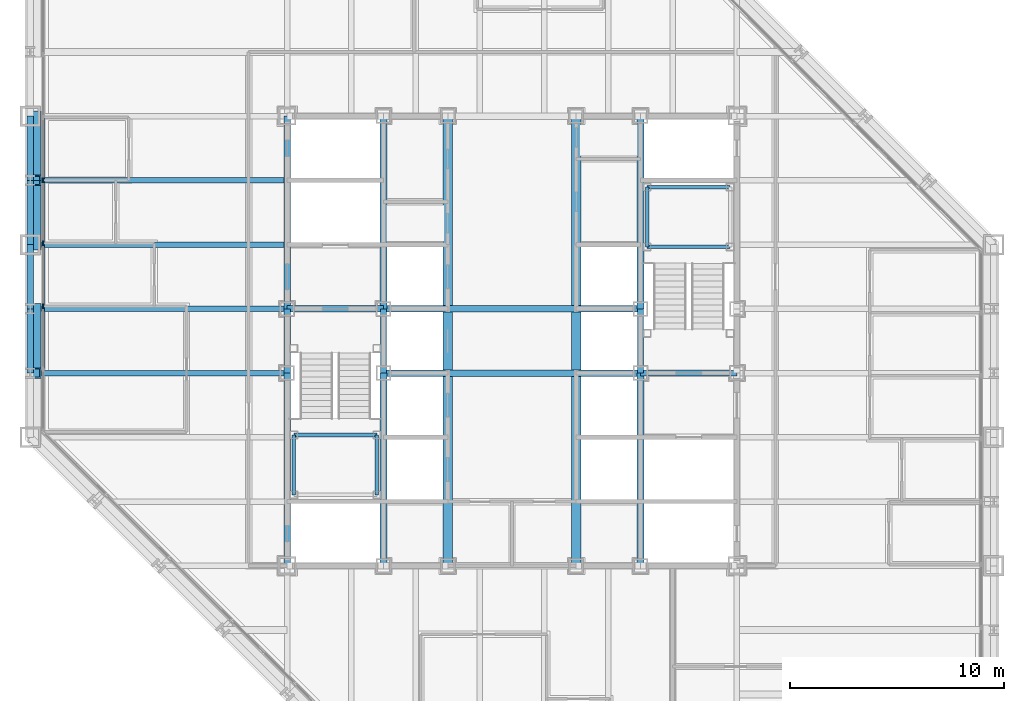
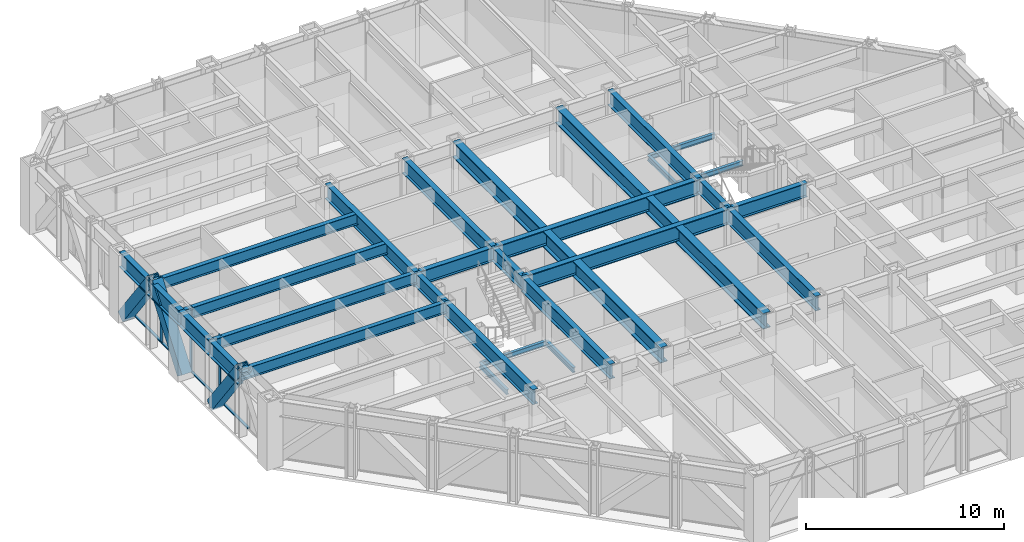
# One storey, part 5 of 16: 33 beams, 10 members, 1 element without a shape of its own.
"""IFC4 building model written with IfcOpenShell, lengths in metres."""

import ifcopenshell
import ifcopenshell.guid

model = None  # the IFC model being written
_history = None  # IfcOwnerHistory: only IFC2X3 demands one
_inside = {}  # id of a spatial element -> (the spatial element, [elements in it])
_under = {}  # id of a project, library or spatial element -> (it, [spatial elements below it])
_declared = {}  # id of a project -> (the project, [libraries it declares])
_typed = {}  # id of a type object -> (the type object, [elements of that type])
_made_of = {}  # id of a material, layer set ... -> (it, [elements and type objects made of it])


def new_model(schema):
    """Start an empty IFC model of exactly this schema.

    Asked for "IFC4X3", IfcOpenShell would pick the latest addendum, in which some entities
    have other attributes; the version numbers below select the first issue.
    IFC2X3 requires an IfcOwnerHistory on every rooted entity: one is made here for all.
    """
    global model, _history
    if schema == "IFC4X3":
        model = ifcopenshell.file(schema_version=(4, 3, 0, 0))
    else:
        model = ifcopenshell.file(schema=schema)
    _inside.clear()
    _under.clear()
    _declared.clear()
    _typed.clear()
    _made_of.clear()
    _history = None
    if model.schema == "IFC2X3":
        org = make("IfcOrganization", Name="unknown")
        user = make(
            "IfcPersonAndOrganization",
            ThePerson=make("IfcPerson", FamilyName="unknown"),
            TheOrganization=org,
        )
        app = make(
            "IfcApplication",
            ApplicationDeveloper=org,
            Version="unknown",
            ApplicationFullName="unknown",
            ApplicationIdentifier="unknown",
        )
        _history = make(
            "IfcOwnerHistory",
            OwningUser=user,
            OwningApplication=app,
            ChangeAction="ADDED",
            CreationDate=0,
        )
    return model


def make(cls, **values):
    """One entity of the class cls with the attributes given. An attribute that is None is left unset."""
    return model.create_entity(
        cls, **{name: value for name, value in values.items() if value is not None}
    )


def rooted(cls, **values):
    """An entity with a GlobalId (a new one), such as an element, a storey or a relation."""
    return make(cls, GlobalId=ifcopenshell.guid.new(), OwnerHistory=_history, **values)


def si_unit(unit_type, name, prefix=None):
    """IfcSIUnit, for example si_unit("LENGTHUNIT", "METRE", prefix="MILLI")."""
    return make("IfcSIUnit", UnitType=unit_type, Prefix=prefix, Name=name)


def assignment(units):
    """IfcUnitAssignment: the units of a project."""
    return None if units is None else make("IfcUnitAssignment", Units=units)


def point(xyz):
    """IfcCartesianPoint."""
    return None if xyz is None else make("IfcCartesianPoint", Coordinates=xyz)


def direction(xyz):
    """IfcDirection."""
    return None if xyz is None else make("IfcDirection", DirectionRatios=xyz)


def frame(location, z_axis=None, x_axis=None):
    """IfcAxis2Placement3D, a coordinate frame: its origin and axes. An axis left out is left unset."""
    return make(
        "IfcAxis2Placement3D",
        Location=point(location),
        Axis=direction(z_axis),
        RefDirection=direction(x_axis),
    )


def frame_2d(location, x_axis=None):
    """IfcAxis2Placement2D, a coordinate frame in the plane: its origin and x axis."""
    return make(
        "IfcAxis2Placement2D", Location=point(location), RefDirection=direction(x_axis)
    )


def origin():
    """The frame at (0, 0, 0) with its axes left unset."""
    return frame((0.0, 0.0, 0.0))


def origin_2d():
    """The frame at (0, 0) in the plane with its x axis left unset."""
    return frame_2d((0.0, 0.0))


def place(relative_to, where):
    """IfcLocalPlacement: puts the frame where relative to a parent placement (None: the world)."""
    return make(
        "IfcLocalPlacement", PlacementRelTo=relative_to, RelativePlacement=where
    )


def context(
    kind, dimensions, precision=None, world=None, true_north=None, identifier=None
):
    """IfcGeometricRepresentationContext, for example the 3D "Model" context."""
    return make(
        "IfcGeometricRepresentationContext",
        ContextIdentifier=identifier,
        ContextType=kind,
        CoordinateSpaceDimension=dimensions,
        Precision=precision,
        WorldCoordinateSystem=world,
        TrueNorth=true_north,
    )


def subcontext(parent, identifier, kind, view, scale=None):
    """IfcGeometricRepresentationSubContext, for example "Body" below "Model"."""
    return make(
        "IfcGeometricRepresentationSubContext",
        ContextIdentifier=identifier,
        ContextType=kind,
        ParentContext=parent,
        TargetScale=scale,
        TargetView=view,
    )


def project(units=None, contexts=None):
    """IfcProject with its units and contexts."""
    return rooted(
        "IfcProject",
        Name="project",
        RepresentationContexts=contexts,
        UnitsInContext=assignment(units),
    )


def spatial(cls, under=None, at=None, **own):
    """A site, building, storey or space (cls), placed at a placement, below another one or the project."""
    s = rooted(cls, ObjectPlacement=at, **own)
    if under is not None:
        _under.setdefault(under.id(), (under, []))[1].append(s)
    return s


def profile(cls, at=None, kind="AREA", **sizes):
    """A parametric profile (cls). Its sizes go by their IFC names, for example OverallWidth=200.0."""
    return make(cls, ProfileType=kind, Position=at, **sizes)


def rectangle(**sizes):
    """IfcRectangleProfileDef."""
    return profile("IfcRectangleProfileDef", **sizes)


def hollow_rectangle(**sizes):
    """IfcRectangleHollowProfileDef."""
    return profile("IfcRectangleHollowProfileDef", **sizes)


def i_section(**sizes):
    """IfcIShapeProfileDef."""
    return profile("IfcIShapeProfileDef", **sizes)


def extrude(swept, where, along, depth):
    """IfcExtrudedAreaSolid: the profile swept, set in the frame where, extruded along a direction by depth."""
    return make(
        "IfcExtrudedAreaSolid",
        SweptArea=swept,
        Position=where,
        ExtrudedDirection=direction(along),
        Depth=depth,
    )


def shape(context_of_items, identifier, shape_type, items):
    """IfcShapeRepresentation: the items that make up one representation, for example the "Body"."""
    return make(
        "IfcShapeRepresentation",
        ContextOfItems=context_of_items,
        RepresentationIdentifier=identifier,
        RepresentationType=shape_type,
        Items=items,
    )


def material(Name=None, Category=None):
    """IfcMaterial."""
    return make("IfcMaterial", Name=Name, Category=Category)


def layer(
    of_material, thickness, ventilated=None, Name=None, Category=None, Priority=None
):
    """IfcMaterialLayer: one layer of a wall or slab, of a material (None: an air gap)."""
    return make(
        "IfcMaterialLayer",
        Material=of_material,
        LayerThickness=thickness,
        IsVentilated=ventilated,
        Name=Name,
        Category=Category,
        Priority=Priority,
    )


def layer_set(layers, Name=None):
    """IfcMaterialLayerSet."""
    return make("IfcMaterialLayerSet", MaterialLayers=layers, LayerSetName=Name)


def material_profile(
    of_material, cross_section, Name=None, Category=None, Priority=None
):
    """IfcMaterialProfile: a cross section and its material."""
    return make(
        "IfcMaterialProfile",
        Name=Name,
        Material=of_material,
        Profile=cross_section,
        Priority=Priority,
        Category=Category,
    )


def profile_set(profiles, Name=None, composite=None):
    """IfcMaterialProfileSet."""
    return make(
        "IfcMaterialProfileSet",
        Name=Name,
        MaterialProfiles=profiles,
        CompositeProfile=composite,
    )


def made_of(thing, what):
    """Note that an element or type object is made of a material, layer set ...; save() writes the relation."""
    if what is not None:
        _made_of.setdefault(what.id(), (what, []))[1].append(thing)
    return thing


def type_object(cls, material=None, **own):
    """A type object (cls), such as IfcWallType, which elements share."""
    return made_of(rooted(cls, **own), material)


def element(
    cls,
    number,
    at=None,
    inside=None,
    cuts=None,
    type_object=None,
    material=None,
    context=None,
    identifier="Body",
    shape_type=None,
    held_by="IfcProductDefinitionShape",
    body=None,
    shapes=None,
    **own,
):
    """One element of the class cls, such as IfcWall. Its Tag is "e" and its number.

    at: its placement. inside: the storey or other place that contains it. cuts: it is an
    opening in that element (IfcRelVoidsElement). A single representation is given by context,
    identifier, shape_type and body (its items); several are given by shapes. held_by: the class
    of the entity that holds the representations. save() writes the other relations.
    """
    e = rooted(cls, Tag="e%d" % number, ObjectPlacement=at, **own)
    if body is not None:
        shapes = [shape(context, identifier, shape_type, body)]
    if shapes is not None:
        e.Representation = make(held_by, Representations=shapes)
    if inside is not None:
        _inside.setdefault(inside.id(), (inside, []))[1].append(e)
    if cuts is not None:
        rooted(
            "IfcRelVoidsElement", RelatingBuildingElement=cuts, RelatedOpeningElement=e
        )
    if type_object is not None:
        _typed.setdefault(type_object.id(), (type_object, []))[1].append(e)
    return made_of(e, material)


def aggregate(whole, parts):
    """IfcRelAggregates: a whole, such as a stair, and the parts it consists of."""
    return rooted("IfcRelAggregates", RelatingObject=whole, RelatedObjects=parts)


def save(model, path):
    """Write the relations noted so far, then the file.

    IfcRelAggregates (storeys below a building ...), IfcRelContainedInSpatialStructure (elements
    in a storey), IfcRelDefinesByType, IfcRelAssociatesMaterial and IfcRelDeclares: one each for
    every whole, place, type object, material and project.
    """
    for whole, parts in _under.values():
        aggregate(whole, parts)
    for where, things in _inside.values():
        rooted(
            "IfcRelContainedInSpatialStructure",
            RelatedElements=things,
            RelatingStructure=where,
        )
    for kind, things in _typed.values():
        rooted("IfcRelDefinesByType", RelatedObjects=things, RelatingType=kind)
    for what, things in _made_of.values():
        rooted("IfcRelAssociatesMaterial", RelatedObjects=things, RelatingMaterial=what)
    for by, libraries in _declared.values():
        rooted("IfcRelDeclares", RelatingContext=by, RelatedDefinitions=libraries)
    model.write(path)


model = new_model("IFC4")

# Units and contexts
model_context = context("Model", 3, precision=1e-05, world=origin(), true_north=direction((0.0, 1.0)))
body_context = subcontext(model_context, "Body", "Model", "MODEL_VIEW")
ifc_project = project(units=[si_unit("LENGTHUNIT", "METRE"), si_unit("AREAUNIT", "SQUARE_METRE"), si_unit("VOLUMEUNIT", "CUBIC_METRE"), si_unit("PLANEANGLEUNIT", "RADIAN"), si_unit("MASSUNIT", "GRAM", prefix="KILO")], contexts=[model_context])

# Site, building, storey
site_placement = place(None, origin())
site = spatial("IfcSite", under=ifc_project, at=site_placement, CompositionType="ELEMENT")
building_placement = place(site_placement, origin())
building = spatial("IfcBuilding", under=site, at=building_placement, Name="Chuquiago Exchange Tower", CompositionType="ELEMENT")
storey_placement = place(building_placement, frame((0.0, 0.0, 127.800048828125)))
storey = spatial("IfcBuildingStorey", under=building, at=storey_placement, Name="L27", CompositionType="ELEMENT", Elevation=127.800048828125)

# Beams
ifc_material_1 = material(Name="Steel ASTM A992", Category="steel")
ifc_material_profile_1 = material_profile(ifc_material_1, i_section(OverallWidth=0.25390625, OverallDepth=0.683349609375, WebThickness=0.012451171875, FlangeThickness=0.018798828125, at=origin_2d()), Name="W27X94")
ifc_profile_set_1 = profile_set([ifc_material_profile_1], Name="Steel ASTM A992")
beam_type_1 = type_object("IfcBeamType", Name="B1 W27X94", PredefinedType="BEAM", material=ifc_profile_set_1)
for number, where, z_axis, x_axis, name in (
    (1, (12.0, 21.0, 3.6982421875), (-1.0, 0.0, 0.0), (0.0, -1.0, 0.0), "FB-L28-infill-12_21--0_21-0"),
    (2, (12.0, 24.0, 3.6982421875), (-1.0, 0.0, 0.0), (0.0, -1.0, 0.0), "FB-L28-infill-12_24--0_24-0"),
    (3, (12.0, 27.0, 3.6982421875), (-1.0, 0.0, 0.0), (0.0, -1.0, 0.0), "FB-L28-infill-12_27--0_27-0"),
    (4, (12.0, 30.0, 3.6982421875), (-1.0, 0.0, 0.0), (0.0, -1.0, 0.0), "FB-L28-infill-12_30--0_30-0"),
):
    element("IfcBeam", number, at=place(storey_placement, frame(where, z_axis=z_axis, x_axis=x_axis)), inside=storey, type_object=beam_type_1, Name=name, PredefinedType="BEAM", context=body_context, shape_type="SweptSolid", body=[
        extrude(i_section(OverallWidth=0.25390625, OverallDepth=0.683349609375, WebThickness=0.012451171875, FlangeThickness=0.018798828125, at=origin_2d()), origin(), (0.0, 0.0, 1.0), 12.0),
    ])
ifc_material_2 = material(Name="Steel ASTM A992", Category="steel")
ifc_material_profile_2 = material_profile(ifc_material_2, i_section(OverallWidth=0.307373046875, OverallDepth=0.927001953125, WebThickness=0.01953125, FlangeThickness=0.031982421875, at=origin_2d()), Name="W36X194")
ifc_profile_set_2 = profile_set([ifc_material_profile_2], Name="Steel ASTM A992")
beam_type_2 = type_object("IfcBeamType", Name="B10 W36X194", PredefinedType="BEAM", material=ifc_profile_set_2)
for number, where, z_axis, x_axis, name in (
    (5, (12.0, 12.0, 3.576416015625), (0.0, 1.0, 0.0), (-1.0, 0.0, 0.0), "CB-L28-12_12-12_21"),
    (6, (12.0, 24.0, 3.576416015625), (0.0, 1.0, 0.0), (-1.0, 0.0, 0.0), "CB-L28-12_24-12_33"),
    (7, (16.5, 12.0, 3.576416015625), (0.0, 1.0, 0.0), (-1.0, 0.0, 0.0), "CB-L28-16.5_12-16.5_21"),
    (8, (16.5, 24.0, 3.576416015625), (0.0, 1.0, 0.0), (-1.0, 0.0, 0.0), "CB-L28-16.5_24-16.5_33"),
    (9, (28.5, 12.0, 3.576416015625), (0.0, 1.0, 0.0), (-1.0, 0.0, 0.0), "CB-L28-28.5_12-28.5_21"),
    (10, (28.5, 24.0, 3.576416015625), (0.0, 1.0, 0.0), (-1.0, 0.0, 0.0), "CB-L28-28.5_24-28.5_33"),
):
    element("IfcBeam", number, at=place(storey_placement, frame(where, z_axis=z_axis, x_axis=x_axis)), inside=storey, type_object=beam_type_2, Name=name, PredefinedType="BEAM", context=body_context, shape_type="SweptSolid", body=[
        extrude(i_section(OverallWidth=0.307373046875, OverallDepth=0.927001953125, WebThickness=0.01953125, FlangeThickness=0.031982421875, at=origin_2d()), origin(), (0.0, 0.0, 1.0), 9.0),
    ])
ifc_material_3 = material(Name="Steel ASTM A992", Category="steel")
ifc_material_profile_3 = material_profile(ifc_material_3, i_section(OverallWidth=0.309814453125, OverallDepth=0.949951171875, WebThickness=0.0244140625, FlangeThickness=0.0439453125, at=origin_2d()), Name="W36X256")
ifc_profile_set_3 = profile_set([ifc_material_profile_3], Name="Steel ASTM A992")
beam_type_3 = type_object("IfcBeamType", Name="B11 W36X256", PredefinedType="BEAM", material=ifc_profile_set_3)
for number, where, z_axis, x_axis, name in (
    (11, (16.5, 21.0, 3.56494140625), (1.0, 0.0, 0.0), (0.0, 1.0, 0.0), "CB-L28-16.5_21-28.5_21"),
    (12, (16.5, 24.0, 3.56494140625), (1.0, 0.0, 0.0), (0.0, 1.0, 0.0), "CB-L28-16.5_24-28.5_24"),
):
    element("IfcBeam", number, at=place(storey_placement, frame(where, z_axis=z_axis, x_axis=x_axis)), inside=storey, type_object=beam_type_3, Name=name, PredefinedType="BEAM", context=body_context, shape_type="SweptSolid", body=[
        extrude(i_section(OverallWidth=0.309814453125, OverallDepth=0.949951171875, WebThickness=0.0244140625, FlangeThickness=0.0439453125, at=origin_2d()), origin(), (0.0, 0.0, 1.0), 12.0),
    ])
ifc_material_4 = material(Name="Steel ASTM A992", Category="steel")
ifc_material_profile_4 = material_profile(ifc_material_4, i_section(OverallWidth=0.4267578125, OverallDepth=0.975341796875, WebThickness=0.031005859375, FlangeThickness=0.055908203125, at=origin_2d()), Name="W36X395")
ifc_profile_set_4 = profile_set([ifc_material_profile_4], Name="Steel ASTM A992")
beam_type_4 = type_object("IfcBeamType", Name="B12 W36X395", PredefinedType="BEAM", material=ifc_profile_set_4)
beam_1_placement = place(storey_placement, frame((19.5, 12.0, 3.55224609375), z_axis=(0.0, 1.0, 0.0), x_axis=(-1.0, 0.0, 0.0)))
element("IfcBeam", 13, at=beam_1_placement, inside=storey, type_object=beam_type_4, Name="CB-L28-19.5_12-19.5_20.8451", PredefinedType="BEAM", context=body_context, shape_type="SweptSolid", body=[
    extrude(i_section(OverallWidth=0.4267578125, OverallDepth=0.975341796875, WebThickness=0.031005859375, FlangeThickness=0.055908203125, at=origin_2d()), origin(), (0.0, 0.0, 1.0), 8.84521484375),
])
beam_2_placement = place(storey_placement, frame((19.5, 21.15478515625, 3.55224609375), z_axis=(0.0, 1.0, 0.0), x_axis=(-1.0, 0.0, 0.0)))
element("IfcBeam", 14, at=beam_2_placement, inside=storey, type_object=beam_type_4, Name="CB-L28-19.5_21.1549-19.5_23.8451", PredefinedType="BEAM", context=body_context, shape_type="SweptSolid", body=[
    extrude(i_section(OverallWidth=0.4267578125, OverallDepth=0.975341796875, WebThickness=0.031005859375, FlangeThickness=0.055908203125, at=origin_2d()), origin(), (0.0, 0.0, 1.0), 2.6904296875),
])
for number, where, z_axis, x_axis, name in (
    (15, (19.5, 24.15478515625, 3.55224609375), (0.0, 1.0, 0.0), (-1.0, 0.0, 0.0), "CB-L28-19.5_24.1549-19.5_33"),
    (16, (25.5, 12.0, 3.55224609375), (0.0, 1.0, 0.0), (-1.0, 0.0, 0.0), "CB-L28-25.5_12-25.5_20.8451"),
):
    element("IfcBeam", number, at=place(storey_placement, frame(where, z_axis=z_axis, x_axis=x_axis)), inside=storey, type_object=beam_type_4, Name=name, PredefinedType="BEAM", context=body_context, shape_type="SweptSolid", body=[
        extrude(i_section(OverallWidth=0.4267578125, OverallDepth=0.975341796875, WebThickness=0.031005859375, FlangeThickness=0.055908203125, at=origin_2d()), origin(), (0.0, 0.0, 1.0), 8.84521484375),
    ])
beam_3_placement = place(storey_placement, frame((25.5, 21.15478515625, 3.55224609375), z_axis=(0.0, 1.0, 0.0), x_axis=(-1.0, 0.0, 0.0)))
element("IfcBeam", 17, at=beam_3_placement, inside=storey, type_object=beam_type_4, Name="CB-L28-25.5_21.1549-25.5_23.8451", PredefinedType="BEAM", context=body_context, shape_type="SweptSolid", body=[
    extrude(i_section(OverallWidth=0.4267578125, OverallDepth=0.975341796875, WebThickness=0.031005859375, FlangeThickness=0.055908203125, at=origin_2d()), origin(), (0.0, 0.0, 1.0), 2.6904296875),
])
beam_4_placement = place(storey_placement, frame((25.5, 24.15478515625, 3.55224609375), z_axis=(0.0, 1.0, 0.0), x_axis=(-1.0, 0.0, 0.0)))
element("IfcBeam", 18, at=beam_4_placement, inside=storey, type_object=beam_type_4, Name="CB-L28-25.5_24.1549-25.5_33", PredefinedType="BEAM", context=body_context, shape_type="SweptSolid", body=[
    extrude(i_section(OverallWidth=0.4267578125, OverallDepth=0.975341796875, WebThickness=0.031005859375, FlangeThickness=0.055908203125, at=origin_2d()), origin(), (0.0, 0.0, 1.0), 8.84521484375),
])
ifc_material_5 = material(Name="Steel ASTM A992", Category="steel")
ifc_material_profile_5 = material_profile(ifc_material_5, i_section(OverallWidth=0.2919921875, OverallDepth=0.8583984375, WebThickness=0.01708984375, FlangeThickness=0.031005859375, at=origin_2d()), Name="W33X169")
ifc_profile_set_5 = profile_set([ifc_material_profile_5], Name="Steel ASTM A992")
beam_type_5 = type_object("IfcBeamType", Name="B3 W33X169", PredefinedType="BEAM", material=ifc_profile_set_5)
for number, where, z_axis, x_axis, name in (
    (19, (12.0, 21.0, 3.610595703125), (0.0, 1.0, 0.0), (-1.0, 0.0, 0.0), "CB-L28-12_21-12_24"),
    (20, (16.5, 21.0, 3.610595703125), (0.0, 1.0, 0.0), (-1.0, 0.0, 0.0), "CB-L28-16.5_21-16.5_24"),
    (21, (28.5, 21.0, 3.610595703125), (0.0, 1.0, 0.0), (-1.0, 0.0, 0.0), "CB-L28-28.5_21-28.5_24"),
):
    element("IfcBeam", number, at=place(storey_placement, frame(where, z_axis=z_axis, x_axis=x_axis)), inside=storey, type_object=beam_type_5, Name=name, PredefinedType="BEAM", context=body_context, shape_type="SweptSolid", body=[
        extrude(i_section(OverallWidth=0.2919921875, OverallDepth=0.8583984375, WebThickness=0.01708984375, FlangeThickness=0.031005859375, at=origin_2d()), origin(), (0.0, 0.0, 1.0), 3.0),
    ])
for number, where, z_axis, x_axis, name in (
    (22, (28.5, 21.0, 3.610595703125), (1.0, 0.0, 0.0), (0.0, 1.0, 0.0), "CB-L28-28.5_21-33_21"),
    (23, (12.0, 24.0, 3.610595703125), (1.0, 0.0, 0.0), (0.0, 1.0, 0.0), "CB-L28-12_24-16.5_24"),
):
    element("IfcBeam", number, at=place(storey_placement, frame(where, z_axis=z_axis, x_axis=x_axis)), inside=storey, type_object=beam_type_5, Name=name, PredefinedType="BEAM", context=body_context, shape_type="SweptSolid", body=[
        extrude(i_section(OverallWidth=0.2919921875, OverallDepth=0.8583984375, WebThickness=0.01708984375, FlangeThickness=0.031005859375, at=origin_2d()), origin(), (0.0, 0.0, 1.0), 4.5),
    ])

# Curtain wall, members
ifc_material_6 = material(Name="Aluminium curtain wall system", Category="aluminium")
ifc_layer = layer(ifc_material_6, 0.22509765625)
ifc_layer_set = layer_set([ifc_layer], Name="CW2 office curtain wall")
curtain_wall_type = type_object("IfcCurtainWallType", Name="CW2 office curtain wall", PredefinedType="NOTDEFINED", material=ifc_layer_set)
curtain_wall_placement = place(storey_placement, origin())
curtain_wall = element("IfcCurtainWall", 24, at=curtain_wall_placement, inside=storey, type_object=curtain_wall_type, Name="CW2 curtain wall L27", PredefinedType="NOTDEFINED")
ifc_material_7 = material(Name="Aluminium mullion, pale anodised", Category="aluminium")
ifc_material_profile_6 = material_profile(ifc_material_7, rectangle(XDim=0.06494140625, YDim=0.22509765625, at=origin_2d()), Name="AL 65x225")
ifc_profile_set_6 = profile_set([ifc_material_profile_6], Name="Aluminium mullion, pale anodised")
member_type_1 = type_object("IfcMemberType", Name="CW2-M mullion 65x225", PredefinedType="MULLION", material=ifc_profile_set_6)
member_1_placement = place(storey_placement, frame((0.60009765625, 30.0, 0.0), z_axis=(0.0, 0.0, 1.0), x_axis=(1.0, 0.0, 0.0)))
member_1 = element("IfcMember", 25, at=member_1_placement, type_object=member_type_1, Name="CW2 mullion 5", PredefinedType="MULLION", context=body_context, shape_type="SweptSolid", body=[
    extrude(rectangle(XDim=0.06494140625, YDim=0.22509765625, at=origin_2d()), origin(), (0.0, 0.0, 1.0), 4.0400390625),
])
member_2_placement = place(storey_placement, frame((0.60009765625, 27.06201171875, 0.0), z_axis=(0.0, 0.0, 1.0), x_axis=(1.0, 0.0, 0.0)))
member_2 = element("IfcMember", 26, at=member_2_placement, type_object=member_type_1, Name="CW2 mullion 6", PredefinedType="MULLION", context=body_context, shape_type="SweptSolid", body=[
    extrude(rectangle(XDim=0.06494140625, YDim=0.22509765625, at=origin_2d()), origin(), (0.0, 0.0, 1.0), 4.0400390625),
])
member_3_placement = place(storey_placement, frame((0.60009765625, 24.124267578125, 0.0), z_axis=(0.0, 0.0, 1.0), x_axis=(1.0, 0.0, 0.0)))
member_3 = element("IfcMember", 27, at=member_3_placement, type_object=member_type_1, Name="CW2 mullion 7", PredefinedType="MULLION", context=body_context, shape_type="SweptSolid", body=[
    extrude(rectangle(XDim=0.06494140625, YDim=0.22509765625, at=origin_2d()), origin(), (0.0, 0.0, 1.0), 4.0400390625),
])
ifc_material_8 = material(Name="Aluminium transom, pale anodised", Category="aluminium")
ifc_material_profile_7 = material_profile(ifc_material_8, rectangle(XDim=0.139892578125, YDim=0.06494140625, at=origin_2d()), Name="AL 140x65")
ifc_profile_set_7 = profile_set([ifc_material_profile_7], Name="Aluminium transom, pale anodised")
member_type_2 = type_object("IfcMemberType", Name="CW2-T transom 65x140", PredefinedType="MULLION", material=ifc_profile_set_7)
member_4_placement = place(storey_placement, frame((0.60009765625, 32.9052734375, 0.032470703125), z_axis=(0.0, -1.0, 0.0), x_axis=(1.0, 0.0, 0.0)))
member_4 = element("IfcMember", 28, at=member_4_placement, type_object=member_type_2, Name="CW2 transom 4.1", PredefinedType="MULLION", context=body_context, shape_type="SweptSolid", body=[
    extrude(rectangle(XDim=0.139892578125, YDim=0.06494140625, at=origin_2d()), origin(), (0.0, 0.0, 1.0), 2.872802734375),
])
member_5_placement = place(storey_placement, frame((0.60009765625, 29.967529296875, 0.032470703125), z_axis=(0.0, -1.0, 0.0), x_axis=(1.0, 0.0, 0.0)))
member_5 = element("IfcMember", 29, at=member_5_placement, type_object=member_type_2, Name="CW2 transom 5.1", PredefinedType="MULLION", context=body_context, shape_type="SweptSolid", body=[
    extrude(rectangle(XDim=0.139892578125, YDim=0.06494140625, at=origin_2d()), origin(), (0.0, 0.0, 1.0), 2.872802734375),
])
member_6_placement = place(storey_placement, frame((0.60009765625, 27.029541015625, 0.032470703125), z_axis=(0.0, -1.0, 0.0), x_axis=(1.0, 0.0, 0.0)))
member_6 = element("IfcMember", 30, at=member_6_placement, type_object=member_type_2, Name="CW2 transom 6.1", PredefinedType="MULLION", context=body_context, shape_type="SweptSolid", body=[
    extrude(rectangle(XDim=0.139892578125, YDim=0.06494140625, at=origin_2d()), origin(), (0.0, 0.0, 1.0), 2.872802734375),
])
member_7_placement = place(storey_placement, frame((0.60009765625, 24.091796875, 0.032470703125), z_axis=(0.0, -1.0, 0.0), x_axis=(1.0, 0.0, 0.0)))
member_7 = element("IfcMember", 31, at=member_7_placement, type_object=member_type_2, Name="CW2 transom 7.1", PredefinedType="MULLION", context=body_context, shape_type="SweptSolid", body=[
    extrude(rectangle(XDim=0.139892578125, YDim=0.06494140625, at=origin_2d()), origin(), (0.0, 0.0, 1.0), 2.872802734375),
])
aggregate(curtain_wall, [member_1, member_2, member_3, member_4, member_5, member_6, member_7])

# Beams
ifc_material_9 = material(Name="Steel ASTM A992", Category="steel")
ifc_material_profile_8 = material_profile(ifc_material_9, i_section(OverallWidth=0.164794921875, OverallDepth=0.309814453125, WebThickness=0.005859375, FlangeThickness=0.009765625, at=origin_2d()), Name="W12X26")
ifc_profile_set_8 = profile_set([ifc_material_profile_8], Name="Steel ASTM A992")
beam_type_6 = type_object("IfcBeamType", Name="LS1 W12X26", PredefinedType="BEAM", material=ifc_profile_set_8)
for number, where, z_axis, x_axis, name in (
    (32, (12.31005859375, 15.31005859375, 1.7451171875), (0.0, 1.0, 0.0), (-1.0, 0.0, 0.0), "Stair ST1 L27 landing 1 stringer"),
    (33, (16.18994140625, 15.31005859375, 1.7451171875), (0.0, 1.0, 0.0), (-1.0, 0.0, 0.0), "Stair ST1 L27 landing 1 stringer"),
    (34, (28.81005859375, 26.889892578125, 1.7451171875), (0.0, 1.0, 0.0), (-1.0, 0.0, 0.0), "Stair ST2 L27 landing 1 stringer"),
):
    element("IfcBeam", number, at=place(storey_placement, frame(where, z_axis=z_axis, x_axis=x_axis)), inside=storey, type_object=beam_type_6, Name=name, PredefinedType="BEAM", context=body_context, shape_type="SweptSolid", body=[
        extrude(i_section(OverallWidth=0.164794921875, OverallDepth=0.309814453125, WebThickness=0.005859375, FlangeThickness=0.009765625, at=origin_2d()), origin(), (0.0, 0.0, 1.0), 2.800048828125),
    ])
ifc_material_10 = material(Name="Steel ASTM A992", Category="steel")
ifc_material_profile_9 = material_profile(ifc_material_10, i_section(OverallWidth=0.164794921875, OverallDepth=0.309814453125, WebThickness=0.005859375, FlangeThickness=0.009765625, at=origin_2d()), Name="W12X26")
ifc_profile_set_9 = profile_set([ifc_material_profile_9], Name="Steel ASTM A992")
beam_type_7 = type_object("IfcBeamType", Name="LT1 W12X26", PredefinedType="BEAM", material=ifc_profile_set_9)
for number, where, z_axis, x_axis, name in (
    (35, (12.31005859375, 18.110107421875, 1.7451171875), (1.0, 0.0, 0.0), (0.0, 1.0, 0.0), "Stair ST1 L27 landing 1 trimmer"),
    (36, (28.81005859375, 29.68994140625, 1.7451171875), (1.0, 0.0, 0.0), (0.0, 1.0, 0.0), "Stair ST2 L27 landing 1 trimmer"),
    (37, (28.81005859375, 26.889892578125, 1.7451171875), (1.0, 0.0, 0.0), (0.0, 1.0, 0.0), "Stair ST2 L27 landing 1 trimmer"),
):
    element("IfcBeam", number, at=place(storey_placement, frame(where, z_axis=z_axis, x_axis=x_axis)), inside=storey, type_object=beam_type_7, Name=name, PredefinedType="BEAM", context=body_context, shape_type="SweptSolid", body=[
        extrude(i_section(OverallWidth=0.164794921875, OverallDepth=0.309814453125, WebThickness=0.005859375, FlangeThickness=0.009765625, at=origin_2d()), origin(), (0.0, 0.0, 1.0), 3.8798828125),
    ])

# Members
ifc_material_11 = material(Name="Steel ASTM A572 Grade 50", Category="steel")
ifc_material_profile_10 = material_profile(ifc_material_11, hollow_rectangle(XDim=0.60009765625, YDim=0.60009765625, WallThickness=0.06005859375, at=origin_2d()), Name="BOX600X600X60")
ifc_profile_set_10 = profile_set([ifc_material_profile_10], Name="Steel ASTM A572 Grade 50")
member_type_3 = type_object("IfcMemberType", Name="MB2 BOX600X600X60", PredefinedType="BRACE", material=ifc_profile_set_10)
for number, where, z_axis, x_axis, name in (
    (38, (0.205078125, 33.0, 0.0), (0.0, -0.596173923302, 0.802855312728), (1.0, 0.0, 0.0), "Mega diagonal L27 W face"),
    (39, (0.205078125, 27.0, 0.0), (0.0, 0.596173923302, 0.802855312728), (-1.0, 0.0, 0.0), "Mega diagonal L27 W face"),
    (40, (0.205078125, 24.0, 0.0), (0.0, -0.596173923302, 0.802855312728), (1.0, 0.0, 0.0), "Mega diagonal L27 W face"),
):
    element("IfcMember", number, at=place(storey_placement, frame(where, z_axis=z_axis, x_axis=x_axis)), inside=storey, type_object=member_type_3, Name=name, PredefinedType="BRACE", context=body_context, shape_type="SweptSolid", body=[
        extrude(hollow_rectangle(XDim=0.60009765625, YDim=0.60009765625, WallThickness=0.06005859375, at=origin_2d()), origin(), (0.0, 0.0, 1.0), 5.031982421875),
    ])

# Beams
ifc_material_12 = material(Name="Steel ASTM A992", Category="steel")
ifc_material_profile_11 = material_profile(ifc_material_12, i_section(OverallWidth=0.309814453125, OverallDepth=0.949951171875, WebThickness=0.0244140625, FlangeThickness=0.0439453125, at=origin_2d()), Name="W36X256")
ifc_profile_set_11 = profile_set([ifc_material_profile_11], Name="Steel ASTM A992")
beam_type_8 = type_object("IfcBeamType", Name="SP2 W36X256", PredefinedType="SPANDREL", material=ifc_profile_set_11)
for number, where, z_axis, x_axis, name in (
    (41, (0.0, 33.0, 3.56494140625), (0.0, -1.0, 0.0), (1.0, 0.0, 0.0), "SPB-L28-0_33-0_30"),
    (42, (0.0, 30.0, 3.56494140625), (0.0, -1.0, 0.0), (1.0, 0.0, 0.0), "SPB-L28-0_30-0_27"),
    (43, (0.0, 27.0, 3.56494140625), (0.0, -1.0, 0.0), (1.0, 0.0, 0.0), "SPB-L28-0_27-0_24"),
    (44, (0.0, 24.0, 3.56494140625), (0.0, -1.0, 0.0), (1.0, 0.0, 0.0), "SPB-L28-0_24-0_21"),
):
    element("IfcBeam", number, at=place(storey_placement, frame(where, z_axis=z_axis, x_axis=x_axis)), inside=storey, type_object=beam_type_8, Name=name, PredefinedType="SPANDREL", context=body_context, shape_type="SweptSolid", body=[
        extrude(i_section(OverallWidth=0.309814453125, OverallDepth=0.949951171875, WebThickness=0.0244140625, FlangeThickness=0.0439453125, at=origin_2d()), origin(), (0.0, 0.0, 1.0), 3.0),
    ])

save(model, "model.ifc")
